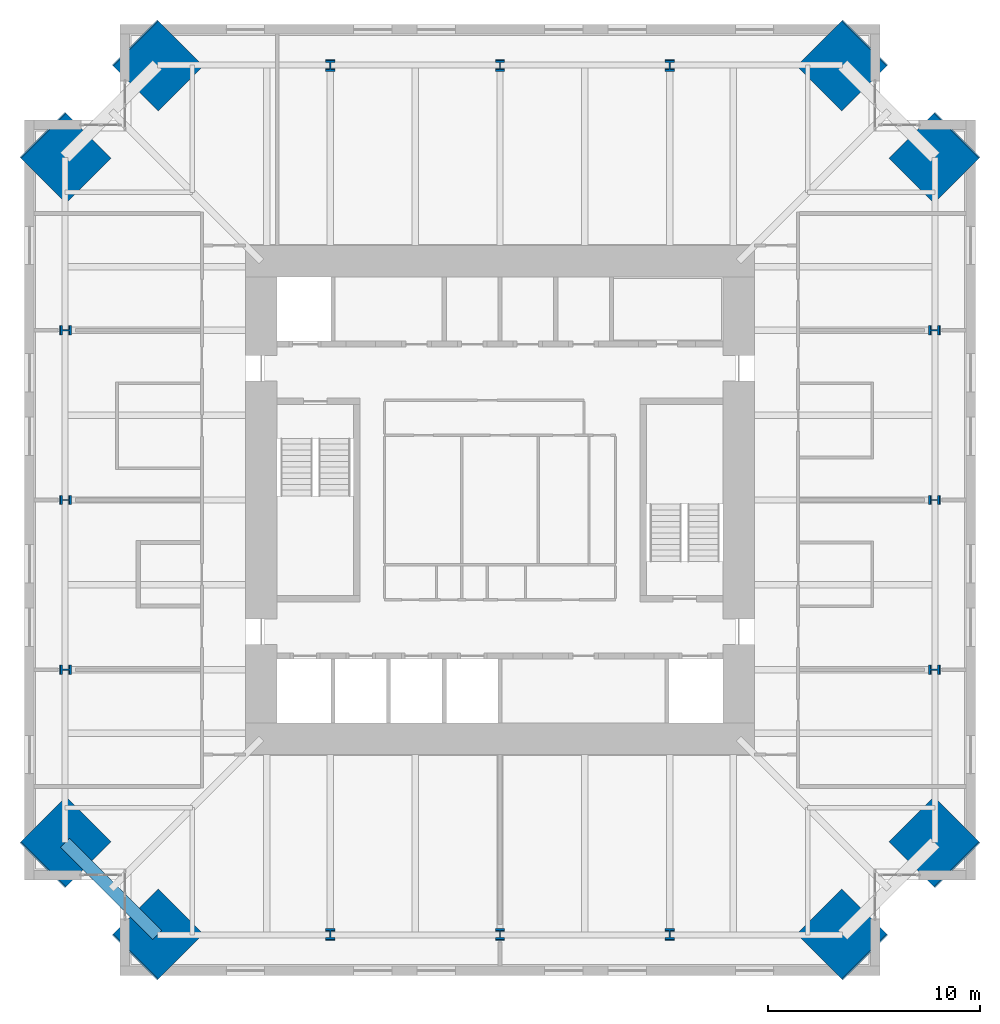
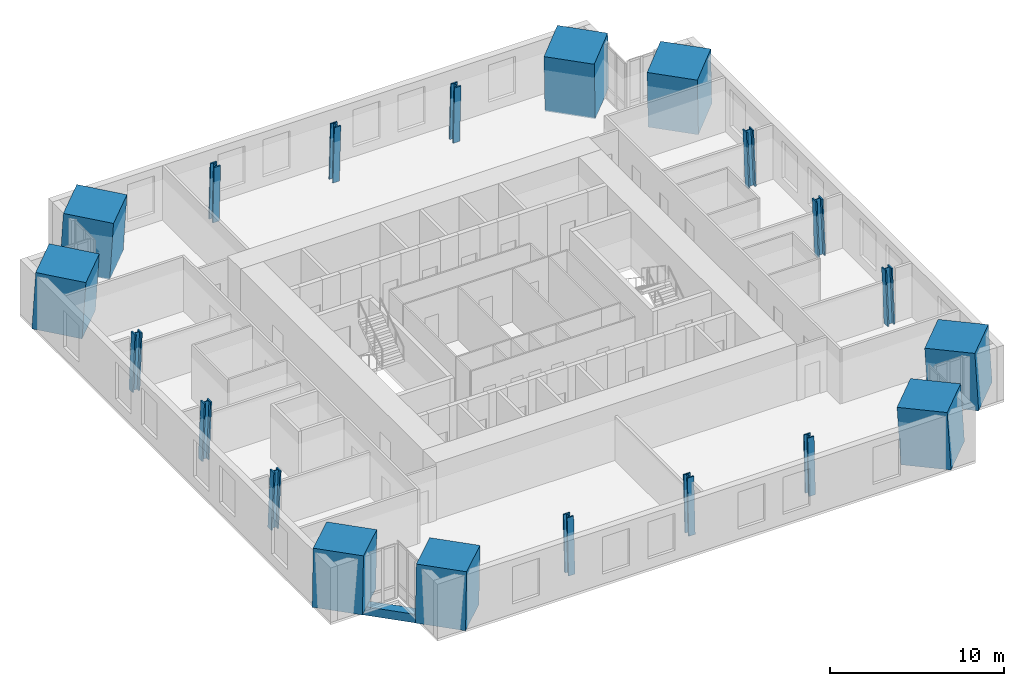
# One storey, part 1 of 17: 20 columns, 1 beam.
"""IFC4 building model written with IfcOpenShell, lengths in metres."""

from ifc_helpers import new_model, si_unit, direction, frame, origin, origin_2d, place, context, subcontext, project, spatial, rectangle, hollow_rectangle, i_section, extrude, material, material_profile, profile_set, type_object, element, save


model = new_model("IFC4")

# Units and contexts
model_context = context("Model", 3, precision=1e-05, world=origin(), true_north=direction((0.0, 1.0)))
body_context = subcontext(model_context, "Body", "Model", "MODEL_VIEW")
ifc_project = project(units=[si_unit("LENGTHUNIT", "METRE"), si_unit("AREAUNIT", "SQUARE_METRE"), si_unit("VOLUMEUNIT", "CUBIC_METRE"), si_unit("PLANEANGLEUNIT", "RADIAN"), si_unit("MASSUNIT", "GRAM", prefix="KILO")], contexts=[model_context])

# Site, building, storey
site_placement = place(None, origin())
site = spatial("IfcSite", under=ifc_project, at=site_placement, CompositionType="ELEMENT")
building_placement = place(site_placement, origin())
building = spatial("IfcBuilding", under=site, at=building_placement, Name="Peilmerk Tower", CompositionType="ELEMENT")
storey_placement = place(building_placement, frame((0.0, 0.0, 257.800048828125)))
storey = spatial("IfcBuildingStorey", under=building, at=storey_placement, Name="L57", CompositionType="ELEMENT", Elevation=257.800048828125)

# Columns
ifc_material_1 = material(Name="Concrete C90/105", Category="concrete")
ifc_material_profile_1 = material_profile(ifc_material_1, rectangle(XDim=3.0, YDim=3.0, at=origin_2d()), Name="RC 3000x3000")
ifc_profile_set_1 = profile_set([ifc_material_profile_1], Name="Concrete C90/105")
column_type_1 = type_object("IfcColumnType", Name="MC3 3000x3000 encased mega column", PredefinedType="COLUMN", material=ifc_profile_set_1)
for number, where, z_axis, x_axis, name in (
    (1, (16.151611328125, 20.501708984375, 0.0), (-0.040278731567, -0.040278731567, 0.998376305592), (0.707106781187, -0.707106781187, 0.0), "Mega column MC3 NE_N L57"),
    (2, (20.501708984375, 16.151611328125, 0.0), (-0.040278731567, -0.040278731567, 0.998376305592), (0.707106781187, -0.707106781187, 0.0), "Mega column MC3 NE_E L57"),
    (3, (20.501708984375, -16.151611328125, 0.0), (-0.040278731567, 0.040278731567, 0.998376305592), (-0.707106781187, -0.707106781187, 0.0), "Mega column MC3 SE_E L57"),
    (4, (16.151611328125, -20.501708984375, 0.0), (-0.040278731567, 0.040278731567, 0.998376305592), (-0.707106781187, -0.707106781187, 0.0), "Mega column MC3 SE_S L57"),
    (5, (-16.151611328125, -20.501708984375, 0.0), (0.040278731567, 0.040278731567, 0.998376305592), (-0.707106781187, 0.707106781187, 0.0), "Mega column MC3 SW_S L57"),
    (6, (-20.501708984375, -16.151611328125, 0.0), (0.040278731567, 0.040278731567, 0.998376305592), (-0.707106781187, 0.707106781187, 0.0), "Mega column MC3 SW_W L57"),
    (7, (-20.501708984375, 16.151611328125, 0.0), (0.040278731567, -0.040278731567, 0.998376305592), (0.707106781187, 0.707106781187, 0.0), "Mega column MC3 NW_W L57"),
    (8, (-16.151611328125, 20.501708984375, 0.0), (0.040278731567, -0.040278731567, 0.998376305592), (0.707106781187, 0.707106781187, 0.0), "Mega column MC3 NW_N L57"),
):
    element("IfcColumn", number, at=place(storey_placement, frame(where, z_axis=z_axis, x_axis=x_axis)), inside=storey, type_object=column_type_1, Name=name, PredefinedType="COLUMN", context=body_context, shape_type="SweptSolid", body=[
        extrude(rectangle(XDim=3.0, YDim=3.0, at=origin_2d()), origin(), (0.0, 0.0, 1.0), 4.006591796875),
    ])
ifc_material_2 = material(Name="Steel S460", Category="steel")
ifc_material_profile_2 = material_profile(ifc_material_2, i_section(OverallWidth=0.431884765625, OverallDepth=0.498046875, WebThickness=0.0556640625, FlangeThickness=0.0888671875, at=origin_2d()), Name="HD 400x744")
ifc_profile_set_2 = profile_set([ifc_material_profile_2], Name="Steel S460")
column_type_2 = type_object("IfcColumnType", Name="SC7 HD 400x744 perimeter column", PredefinedType="COLUMN", material=ifc_profile_set_2)
for number, where, z_axis, x_axis, name in (
    (9, (0.0, 20.501708984375, 0.0), (0.0, -0.040311445006, 0.999187163349), (1.0, 0.0, 0.0), "Perimeter column N+0 L57"),
    (10, (8.0, 20.501708984375, 0.0), (0.0, -0.040311445006, 0.999187163349), (1.0, 0.0, 0.0), "Perimeter column N-8 L57"),
    (11, (-8.0, 20.501708984375, 0.0), (0.0, -0.040311445006, 0.999187163349), (1.0, 0.0, 0.0), "Perimeter column N+8 L57"),
    (12, (20.501708984375, 0.0, 0.0), (-0.040311445006, 0.0, 0.999187163349), (0.0, -1.0, 0.0), "Perimeter column E+0 L57"),
    (13, (20.501708984375, -8.0, 0.0), (-0.040311445006, 0.0, 0.999187163349), (0.0, -1.0, 0.0), "Perimeter column E-8 L57"),
    (14, (20.501708984375, 8.0, 0.0), (-0.040311445006, 0.0, 0.999187163349), (0.0, -1.0, 0.0), "Perimeter column E+8 L57"),
    (15, (0.0, -20.501708984375, 0.0), (0.0, 0.040311445006, 0.999187163349), (-1.0, 0.0, 0.0), "Perimeter column S+0 L57"),
    (16, (-8.0, -20.501708984375, 0.0), (0.0, 0.040311445006, 0.999187163349), (-1.0, 0.0, 0.0), "Perimeter column S-8 L57"),
    (17, (8.0, -20.501708984375, 0.0), (0.0, 0.040311445006, 0.999187163349), (-1.0, 0.0, 0.0), "Perimeter column S+8 L57"),
    (18, (-20.501708984375, 0.0, 0.0), (0.040311445006, 0.0, 0.999187163349), (0.0, 1.0, 0.0), "Perimeter column W+0 L57"),
    (19, (-20.501708984375, 8.0, 0.0), (0.040311445006, 0.0, 0.999187163349), (0.0, 1.0, 0.0), "Perimeter column W-8 L57"),
    (20, (-20.501708984375, -8.0, 0.0), (0.040311445006, 0.0, 0.999187163349), (0.0, 1.0, 0.0), "Perimeter column W+8 L57"),
):
    element("IfcColumn", number, at=place(storey_placement, frame(where, z_axis=z_axis, x_axis=x_axis)), inside=storey, type_object=column_type_2, Name=name, PredefinedType="COLUMN", context=body_context, shape_type="SweptSolid", body=[
        extrude(i_section(OverallWidth=0.431884765625, OverallDepth=0.498046875, WebThickness=0.0556640625, FlangeThickness=0.0888671875, at=origin_2d()), origin(), (0.0, 0.0, 1.0), 4.003173828125),
    ])

# Beam
ifc_material_profile_3 = material_profile(ifc_material_2, hollow_rectangle(XDim=0.60009765625, YDim=0.60009765625, WallThickness=0.06005859375, at=origin_2d()), Name="BOX 600x600x60")
ifc_profile_set_3 = profile_set([ifc_material_profile_3], Name="Steel S460")
beam_type = type_object("IfcBeamType", Name="B20 BOX 600x600x60 notch beam", PredefinedType="SPANDREL", material=ifc_profile_set_3)
beam_placement = place(storey_placement, frame((-16.151611328125, -20.501708984375, -0.469970703125), z_axis=(-0.707106781187, 0.707106781187, 0.0), x_axis=(-0.707106781187, -0.707106781187, 0.0)))
element("IfcBeam", 21, at=beam_placement, inside=storey, type_object=beam_type, Name="Notch beam L57", PredefinedType="SPANDREL", context=body_context, shape_type="SweptSolid", body=[
    extrude(hollow_rectangle(XDim=0.60009765625, YDim=0.60009765625, WallThickness=0.06005859375, at=origin_2d()), origin(), (0.0, 0.0, 1.0), 6.15185546875),
])

save(model, "model.ifc")
